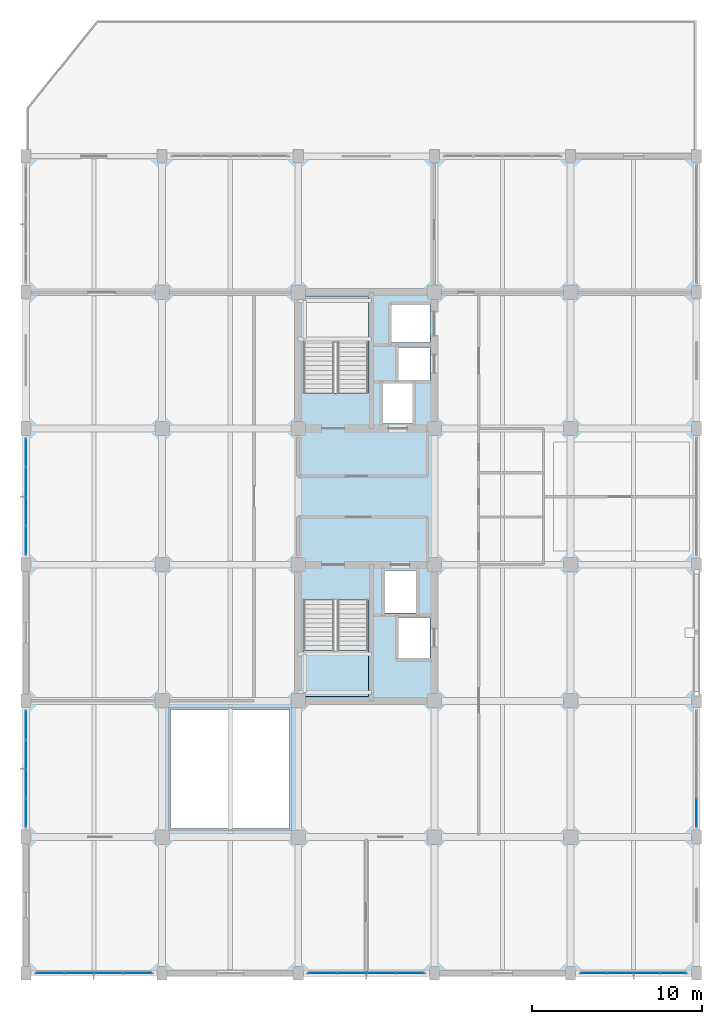
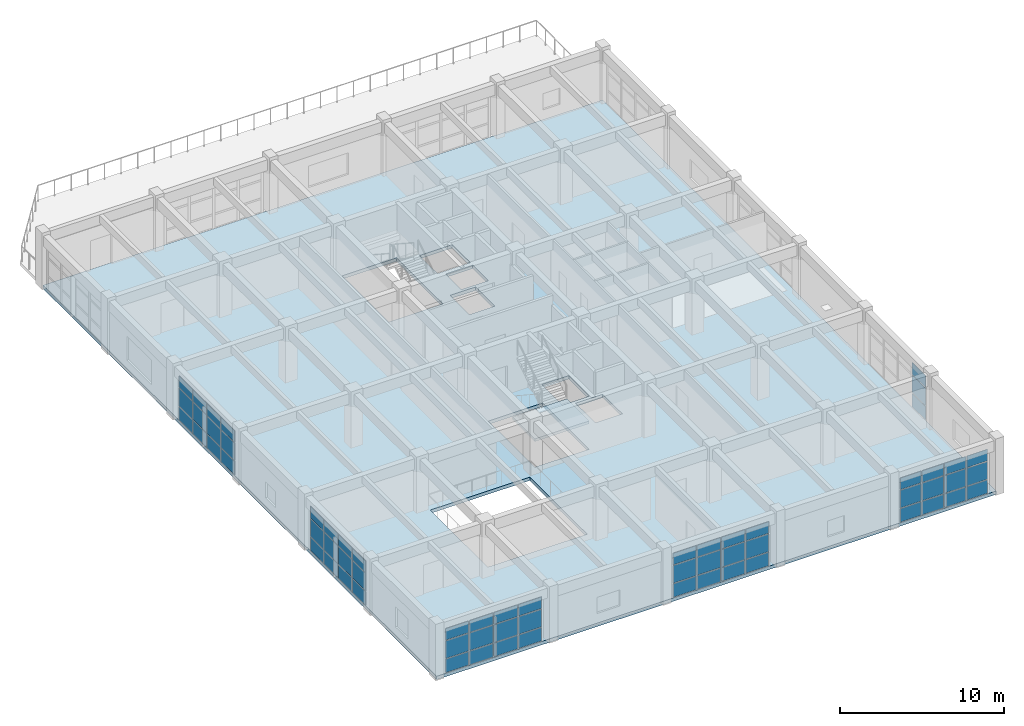
# One storey, part 22 of 30: 63 plates, 2 slabs, 7 elements without a shape of their own.
"""IFC4 building model written with IfcOpenShell, lengths in metres."""

from ifc_helpers import new_model, si_unit, direction, frame, origin, origin_2d, place, context, subcontext, project, spatial, polyline, rectangle, outline, extrude, material, layer, layer_set, type_object, element, aggregate, save


model = new_model("IFC4")

# Units and contexts
model_context = context("Model", 3, precision=1e-05, world=origin(), true_north=direction((0.0, 1.0)))
body_context = subcontext(model_context, "Body", "Model", "MODEL_VIEW")
ifc_project = project(units=[si_unit("LENGTHUNIT", "METRE"), si_unit("AREAUNIT", "SQUARE_METRE"), si_unit("VOLUMEUNIT", "CUBIC_METRE"), si_unit("PLANEANGLEUNIT", "RADIAN"), si_unit("MASSUNIT", "GRAM", prefix="KILO")], contexts=[model_context])

# Site, building, storey
site_placement = place(None, origin())
site = spatial("IfcSite", under=ifc_project, at=site_placement, CompositionType="ELEMENT")
building_placement = place(site_placement, origin())
building = spatial("IfcBuilding", under=site, at=building_placement, Name="Canggui Botanical Conservatory", CompositionType="ELEMENT")
storey_placement = place(building_placement, frame((0.0, 0.0, 19.199951171875)))
storey = spatial("IfcBuildingStorey", under=building, at=storey_placement, Name="L05", CompositionType="ELEMENT", Elevation=19.199951171875)

# Curtain wall, plates
ifc_material_1 = material(Name="Thermally Broken Aluminium", Category="aluminium")
ifc_layer_1 = layer(ifc_material_1, 0.1650390625, Name="Thermally Broken Aluminium", Category="aluminium")
ifc_layer_set_1 = layer_set([ifc_layer_1], Name="Thermally Broken Aluminium")
curtain_wall_type = type_object("IfcCurtainWallType", Name="CW-UNIT-B", PredefinedType="USERDEFINED", material=ifc_layer_set_1)
curtain_wall_1_placement = place(storey_placement, origin())
curtain_wall_1 = element("IfcCurtainWall", 1, at=curtain_wall_1_placement, inside=storey, type_object=curtain_wall_type, Name="Facade Curtain Wall CW-TWR-L05-01", ObjectType="UNITISED CURTAIN WALL", PredefinedType="USERDEFINED")
ifc_material_2 = material(Name="Low-E Insulated Glass", Category="glass")
ifc_layer_2 = layer(ifc_material_2, 0.030029296875, Name="Low-E Insulated Glass", Category="glass")
ifc_layer_set_2 = layer_set([ifc_layer_2], Name="Low-E Insulated Glass")
plate_type = type_object("IfcPlateType", Name="CWP-02", PredefinedType="CURTAIN_PANEL", material=ifc_layer_set_2)
plate_1_placement = place(storey_placement, frame((176.038818359375, 26.0, 0.06005859375), z_axis=(0.0, 0.0, 1.0), x_axis=(-1.0, 0.0, 0.0)))
plate_1 = element("IfcPlate", 2, at=plate_1_placement, type_object=plate_type, Name="CW-02 panel 1.1", PredefinedType="CURTAIN_PANEL", context=body_context, shape_type="SweptSolid", body=[
    extrude(rectangle(XDim=1.472412109375, YDim=0.030029296875, at=origin_2d()), origin(), (0.0, 0.0, 1.0), 0.998046875),
])
plate_2_placement = place(storey_placement, frame((176.038818359375, 26.0, 1.1181640625), z_axis=(0.0, 0.0, 1.0), x_axis=(-1.0, 0.0, 0.0)))
plate_2 = element("IfcPlate", 3, at=plate_2_placement, type_object=plate_type, Name="CW-02 panel 1.2", PredefinedType="CURTAIN_PANEL", context=body_context, shape_type="SweptSolid", body=[
    extrude(rectangle(XDim=1.472412109375, YDim=0.030029296875, at=origin_2d()), origin(), (0.0, 0.0, 1.0), 1.300048828125),
])
plate_3_placement = place(storey_placement, frame((176.038818359375, 26.0, 2.47802734375), z_axis=(0.0, 0.0, 1.0), x_axis=(-1.0, 0.0, 0.0)))
plate_3 = element("IfcPlate", 4, at=plate_3_placement, type_object=plate_type, Name="CW-02 panel 1.3", PredefinedType="CURTAIN_PANEL", context=body_context, shape_type="SweptSolid", body=[
    extrude(rectangle(XDim=1.472412109375, YDim=0.030029296875, at=origin_2d()), origin(), (0.0, 0.0, 1.0), 0.862060546875),
])
plate_4_placement = place(storey_placement, frame((174.485107421875, 26.0, 0.06005859375), z_axis=(0.0, 0.0, 1.0), x_axis=(-1.0, 0.0, 0.0)))
plate_4 = element("IfcPlate", 5, at=plate_4_placement, type_object=plate_type, Name="CW-02 panel 2.1", PredefinedType="CURTAIN_PANEL", context=body_context, shape_type="SweptSolid", body=[
    extrude(rectangle(XDim=1.5048828125, YDim=0.030029296875, at=origin_2d()), origin(), (0.0, 0.0, 1.0), 0.998046875),
])
plate_5_placement = place(storey_placement, frame((174.485107421875, 26.0, 1.1181640625), z_axis=(0.0, 0.0, 1.0), x_axis=(-1.0, 0.0, 0.0)))
plate_5 = element("IfcPlate", 6, at=plate_5_placement, type_object=plate_type, Name="CW-02 panel 2.2", PredefinedType="CURTAIN_PANEL", context=body_context, shape_type="SweptSolid", body=[
    extrude(rectangle(XDim=1.5048828125, YDim=0.030029296875, at=origin_2d()), origin(), (0.0, 0.0, 1.0), 1.300048828125),
])
plate_6_placement = place(storey_placement, frame((174.485107421875, 26.0, 2.47802734375), z_axis=(0.0, 0.0, 1.0), x_axis=(-1.0, 0.0, 0.0)))
plate_6 = element("IfcPlate", 7, at=plate_6_placement, type_object=plate_type, Name="CW-02 panel 2.3", PredefinedType="CURTAIN_PANEL", context=body_context, shape_type="SweptSolid", body=[
    extrude(rectangle(XDim=1.5048828125, YDim=0.030029296875, at=origin_2d()), origin(), (0.0, 0.0, 1.0), 0.862060546875),
])
plate_7_placement = place(storey_placement, frame((172.9150390625, 26.0, 0.06005859375), z_axis=(0.0, 0.0, 1.0), x_axis=(-1.0, 0.0, 0.0)))
plate_7 = element("IfcPlate", 8, at=plate_7_placement, type_object=plate_type, Name="CW-02 panel 3.1", PredefinedType="CURTAIN_PANEL", context=body_context, shape_type="SweptSolid", body=[
    extrude(rectangle(XDim=1.5048828125, YDim=0.030029296875, at=origin_2d()), origin(), (0.0, 0.0, 1.0), 0.998046875),
])
plate_8_placement = place(storey_placement, frame((172.9150390625, 26.0, 1.1181640625), z_axis=(0.0, 0.0, 1.0), x_axis=(-1.0, 0.0, 0.0)))
plate_8 = element("IfcPlate", 9, at=plate_8_placement, type_object=plate_type, Name="CW-02 panel 3.2", PredefinedType="CURTAIN_PANEL", context=body_context, shape_type="SweptSolid", body=[
    extrude(rectangle(XDim=1.5048828125, YDim=0.030029296875, at=origin_2d()), origin(), (0.0, 0.0, 1.0), 1.300048828125),
])
plate_9_placement = place(storey_placement, frame((172.9150390625, 26.0, 2.47802734375), z_axis=(0.0, 0.0, 1.0), x_axis=(-1.0, 0.0, 0.0)))
plate_9 = element("IfcPlate", 10, at=plate_9_placement, type_object=plate_type, Name="CW-02 panel 3.3", PredefinedType="CURTAIN_PANEL", context=body_context, shape_type="SweptSolid", body=[
    extrude(rectangle(XDim=1.5048828125, YDim=0.030029296875, at=origin_2d()), origin(), (0.0, 0.0, 1.0), 0.862060546875),
])
plate_10_placement = place(storey_placement, frame((171.361328125, 26.0, 0.06005859375), z_axis=(0.0, 0.0, 1.0), x_axis=(-1.0, 0.0, 0.0)))
plate_10 = element("IfcPlate", 11, at=plate_10_placement, type_object=plate_type, Name="CW-02 panel 4.1", PredefinedType="CURTAIN_PANEL", context=body_context, shape_type="SweptSolid", body=[
    extrude(rectangle(XDim=1.472412109375, YDim=0.030029296875, at=origin_2d()), origin(), (0.0, 0.0, 1.0), 0.998046875),
])
plate_11_placement = place(storey_placement, frame((171.361328125, 26.0, 1.1181640625), z_axis=(0.0, 0.0, 1.0), x_axis=(-1.0, 0.0, 0.0)))
plate_11 = element("IfcPlate", 12, at=plate_11_placement, type_object=plate_type, Name="CW-02 panel 4.2", PredefinedType="CURTAIN_PANEL", context=body_context, shape_type="SweptSolid", body=[
    extrude(rectangle(XDim=1.472412109375, YDim=0.030029296875, at=origin_2d()), origin(), (0.0, 0.0, 1.0), 1.300048828125),
])
plate_12_placement = place(storey_placement, frame((171.361328125, 26.0, 2.47802734375), z_axis=(0.0, 0.0, 1.0), x_axis=(-1.0, 0.0, 0.0)))
plate_12 = element("IfcPlate", 13, at=plate_12_placement, type_object=plate_type, Name="CW-02 panel 4.3", PredefinedType="CURTAIN_PANEL", context=body_context, shape_type="SweptSolid", body=[
    extrude(rectangle(XDim=1.472412109375, YDim=0.030029296875, at=origin_2d()), origin(), (0.0, 0.0, 1.0), 0.862060546875),
])
aggregate(curtain_wall_1, [plate_1, plate_2, plate_3, plate_4, plate_5, plate_6, plate_7, plate_8, plate_9, plate_10, plate_11, plate_12])

curtain_wall_2_placement = place(storey_placement, origin())
curtain_wall_2 = element("IfcCurtainWall", 14, at=curtain_wall_2_placement, inside=storey, type_object=curtain_wall_type, Name="Facade Curtain Wall CW-TWR-L05-03", ObjectType="UNITISED CURTAIN WALL", PredefinedType="USERDEFINED")
plate_13_placement = place(storey_placement, frame((160.563720703125, 26.0, 0.06005859375), z_axis=(0.0, 0.0, 1.0), x_axis=(-1.0, 0.0, 0.0)))
plate_13 = element("IfcPlate", 15, at=plate_13_placement, type_object=plate_type, Name="CW-02 panel 1.1", PredefinedType="CURTAIN_PANEL", context=body_context, shape_type="SweptSolid", body=[
    extrude(rectangle(XDim=1.62255859375, YDim=0.030029296875, at=origin_2d()), origin(), (0.0, 0.0, 1.0), 0.998046875),
])
plate_14_placement = place(storey_placement, frame((160.563720703125, 26.0, 1.1181640625), z_axis=(0.0, 0.0, 1.0), x_axis=(-1.0, 0.0, 0.0)))
plate_14 = element("IfcPlate", 16, at=plate_14_placement, type_object=plate_type, Name="CW-02 panel 1.2", PredefinedType="CURTAIN_PANEL", context=body_context, shape_type="SweptSolid", body=[
    extrude(rectangle(XDim=1.62255859375, YDim=0.030029296875, at=origin_2d()), origin(), (0.0, 0.0, 1.0), 1.300048828125),
])
plate_15_placement = place(storey_placement, frame((160.563720703125, 26.0, 2.47802734375), z_axis=(0.0, 0.0, 1.0), x_axis=(-1.0, 0.0, 0.0)))
plate_15 = element("IfcPlate", 17, at=plate_15_placement, type_object=plate_type, Name="CW-02 panel 1.3", PredefinedType="CURTAIN_PANEL", context=body_context, shape_type="SweptSolid", body=[
    extrude(rectangle(XDim=1.62255859375, YDim=0.030029296875, at=origin_2d()), origin(), (0.0, 0.0, 1.0), 0.862060546875),
])
plate_16_placement = place(storey_placement, frame((158.860107421875, 26.0, 0.06005859375), z_axis=(0.0, 0.0, 1.0), x_axis=(-1.0, 0.0, 0.0)))
plate_16 = element("IfcPlate", 18, at=plate_16_placement, type_object=plate_type, Name="CW-02 panel 2.1", PredefinedType="CURTAIN_PANEL", context=body_context, shape_type="SweptSolid", body=[
    extrude(rectangle(XDim=1.655029296875, YDim=0.030029296875, at=origin_2d()), origin(), (0.0, 0.0, 1.0), 0.998046875),
])
plate_17_placement = place(storey_placement, frame((158.860107421875, 26.0, 1.1181640625), z_axis=(0.0, 0.0, 1.0), x_axis=(-1.0, 0.0, 0.0)))
plate_17 = element("IfcPlate", 19, at=plate_17_placement, type_object=plate_type, Name="CW-02 panel 2.2", PredefinedType="CURTAIN_PANEL", context=body_context, shape_type="SweptSolid", body=[
    extrude(rectangle(XDim=1.655029296875, YDim=0.030029296875, at=origin_2d()), origin(), (0.0, 0.0, 1.0), 1.300048828125),
])
plate_18_placement = place(storey_placement, frame((158.860107421875, 26.0, 2.47802734375), z_axis=(0.0, 0.0, 1.0), x_axis=(-1.0, 0.0, 0.0)))
plate_18 = element("IfcPlate", 20, at=plate_18_placement, type_object=plate_type, Name="CW-02 panel 2.3", PredefinedType="CURTAIN_PANEL", context=body_context, shape_type="SweptSolid", body=[
    extrude(rectangle(XDim=1.655029296875, YDim=0.030029296875, at=origin_2d()), origin(), (0.0, 0.0, 1.0), 0.862060546875),
])
plate_19_placement = place(storey_placement, frame((157.139892578125, 26.0, 0.06005859375), z_axis=(0.0, 0.0, 1.0), x_axis=(-1.0, 0.0, 0.0)))
plate_19 = element("IfcPlate", 21, at=plate_19_placement, type_object=plate_type, Name="CW-02 panel 3.1", PredefinedType="CURTAIN_PANEL", context=body_context, shape_type="SweptSolid", body=[
    extrude(rectangle(XDim=1.655029296875, YDim=0.030029296875, at=origin_2d()), origin(), (0.0, 0.0, 1.0), 0.998046875),
])
plate_20_placement = place(storey_placement, frame((157.139892578125, 26.0, 1.1181640625), z_axis=(0.0, 0.0, 1.0), x_axis=(-1.0, 0.0, 0.0)))
plate_20 = element("IfcPlate", 22, at=plate_20_placement, type_object=plate_type, Name="CW-02 panel 3.2", PredefinedType="CURTAIN_PANEL", context=body_context, shape_type="SweptSolid", body=[
    extrude(rectangle(XDim=1.655029296875, YDim=0.030029296875, at=origin_2d()), origin(), (0.0, 0.0, 1.0), 1.300048828125),
])
plate_21_placement = place(storey_placement, frame((157.139892578125, 26.0, 2.47802734375), z_axis=(0.0, 0.0, 1.0), x_axis=(-1.0, 0.0, 0.0)))
plate_21 = element("IfcPlate", 23, at=plate_21_placement, type_object=plate_type, Name="CW-02 panel 3.3", PredefinedType="CURTAIN_PANEL", context=body_context, shape_type="SweptSolid", body=[
    extrude(rectangle(XDim=1.655029296875, YDim=0.030029296875, at=origin_2d()), origin(), (0.0, 0.0, 1.0), 0.862060546875),
])
plate_22_placement = place(storey_placement, frame((155.436279296875, 26.0, 0.06005859375), z_axis=(0.0, 0.0, 1.0), x_axis=(-1.0, 0.0, 0.0)))
plate_22 = element("IfcPlate", 24, at=plate_22_placement, type_object=plate_type, Name="CW-02 panel 4.1", PredefinedType="CURTAIN_PANEL", context=body_context, shape_type="SweptSolid", body=[
    extrude(rectangle(XDim=1.62255859375, YDim=0.030029296875, at=origin_2d()), origin(), (0.0, 0.0, 1.0), 0.998046875),
])
plate_23_placement = place(storey_placement, frame((155.436279296875, 26.0, 1.1181640625), z_axis=(0.0, 0.0, 1.0), x_axis=(-1.0, 0.0, 0.0)))
plate_23 = element("IfcPlate", 25, at=plate_23_placement, type_object=plate_type, Name="CW-02 panel 4.2", PredefinedType="CURTAIN_PANEL", context=body_context, shape_type="SweptSolid", body=[
    extrude(rectangle(XDim=1.62255859375, YDim=0.030029296875, at=origin_2d()), origin(), (0.0, 0.0, 1.0), 1.300048828125),
])
plate_24_placement = place(storey_placement, frame((155.436279296875, 26.0, 2.47802734375), z_axis=(0.0, 0.0, 1.0), x_axis=(-1.0, 0.0, 0.0)))
plate_24 = element("IfcPlate", 26, at=plate_24_placement, type_object=plate_type, Name="CW-02 panel 4.3", PredefinedType="CURTAIN_PANEL", context=body_context, shape_type="SweptSolid", body=[
    extrude(rectangle(XDim=1.62255859375, YDim=0.030029296875, at=origin_2d()), origin(), (0.0, 0.0, 1.0), 0.862060546875),
])
aggregate(curtain_wall_2, [plate_13, plate_14, plate_15, plate_16, plate_17, plate_18, plate_19, plate_20, plate_21, plate_22, plate_23, plate_24])

curtain_wall_3_placement = place(storey_placement, origin())
curtain_wall_3 = element("IfcCurtainWall", 27, at=curtain_wall_3_placement, inside=storey, type_object=curtain_wall_type, Name="Facade Curtain Wall CW-TWR-L05-05", ObjectType="UNITISED CURTAIN WALL", PredefinedType="USERDEFINED")
plate_25_placement = place(storey_placement, frame((144.563720703125, 26.0, 0.06005859375), z_axis=(0.0, 0.0, 1.0), x_axis=(-1.0, 0.0, 0.0)))
plate_25 = element("IfcPlate", 28, at=plate_25_placement, type_object=plate_type, Name="CW-02 panel 1.1", PredefinedType="CURTAIN_PANEL", context=body_context, shape_type="SweptSolid", body=[
    extrude(rectangle(XDim=1.62255859375, YDim=0.030029296875, at=origin_2d()), origin(), (0.0, 0.0, 1.0), 0.998046875),
])
plate_26_placement = place(storey_placement, frame((144.563720703125, 26.0, 1.1181640625), z_axis=(0.0, 0.0, 1.0), x_axis=(-1.0, 0.0, 0.0)))
plate_26 = element("IfcPlate", 29, at=plate_26_placement, type_object=plate_type, Name="CW-02 panel 1.2", PredefinedType="CURTAIN_PANEL", context=body_context, shape_type="SweptSolid", body=[
    extrude(rectangle(XDim=1.62255859375, YDim=0.030029296875, at=origin_2d()), origin(), (0.0, 0.0, 1.0), 1.300048828125),
])
plate_27_placement = place(storey_placement, frame((144.563720703125, 26.0, 2.47802734375), z_axis=(0.0, 0.0, 1.0), x_axis=(-1.0, 0.0, 0.0)))
plate_27 = element("IfcPlate", 30, at=plate_27_placement, type_object=plate_type, Name="CW-02 panel 1.3", PredefinedType="CURTAIN_PANEL", context=body_context, shape_type="SweptSolid", body=[
    extrude(rectangle(XDim=1.62255859375, YDim=0.030029296875, at=origin_2d()), origin(), (0.0, 0.0, 1.0), 0.862060546875),
])
plate_28_placement = place(storey_placement, frame((142.860107421875, 26.0, 0.06005859375), z_axis=(0.0, 0.0, 1.0), x_axis=(-1.0, 0.0, 0.0)))
plate_28 = element("IfcPlate", 31, at=plate_28_placement, type_object=plate_type, Name="CW-02 panel 2.1", PredefinedType="CURTAIN_PANEL", context=body_context, shape_type="SweptSolid", body=[
    extrude(rectangle(XDim=1.655029296875, YDim=0.030029296875, at=origin_2d()), origin(), (0.0, 0.0, 1.0), 0.998046875),
])
plate_29_placement = place(storey_placement, frame((142.860107421875, 26.0, 1.1181640625), z_axis=(0.0, 0.0, 1.0), x_axis=(-1.0, 0.0, 0.0)))
plate_29 = element("IfcPlate", 32, at=plate_29_placement, type_object=plate_type, Name="CW-02 panel 2.2", PredefinedType="CURTAIN_PANEL", context=body_context, shape_type="SweptSolid", body=[
    extrude(rectangle(XDim=1.655029296875, YDim=0.030029296875, at=origin_2d()), origin(), (0.0, 0.0, 1.0), 1.300048828125),
])
plate_30_placement = place(storey_placement, frame((142.860107421875, 26.0, 2.47802734375), z_axis=(0.0, 0.0, 1.0), x_axis=(-1.0, 0.0, 0.0)))
plate_30 = element("IfcPlate", 33, at=plate_30_placement, type_object=plate_type, Name="CW-02 panel 2.3", PredefinedType="CURTAIN_PANEL", context=body_context, shape_type="SweptSolid", body=[
    extrude(rectangle(XDim=1.655029296875, YDim=0.030029296875, at=origin_2d()), origin(), (0.0, 0.0, 1.0), 0.862060546875),
])
plate_31_placement = place(storey_placement, frame((141.139892578125, 26.0, 0.06005859375), z_axis=(0.0, 0.0, 1.0), x_axis=(-1.0, 0.0, 0.0)))
plate_31 = element("IfcPlate", 34, at=plate_31_placement, type_object=plate_type, Name="CW-02 panel 3.1", PredefinedType="CURTAIN_PANEL", context=body_context, shape_type="SweptSolid", body=[
    extrude(rectangle(XDim=1.655029296875, YDim=0.030029296875, at=origin_2d()), origin(), (0.0, 0.0, 1.0), 0.998046875),
])
plate_32_placement = place(storey_placement, frame((141.139892578125, 26.0, 1.1181640625), z_axis=(0.0, 0.0, 1.0), x_axis=(-1.0, 0.0, 0.0)))
plate_32 = element("IfcPlate", 35, at=plate_32_placement, type_object=plate_type, Name="CW-02 panel 3.2", PredefinedType="CURTAIN_PANEL", context=body_context, shape_type="SweptSolid", body=[
    extrude(rectangle(XDim=1.655029296875, YDim=0.030029296875, at=origin_2d()), origin(), (0.0, 0.0, 1.0), 1.300048828125),
])
plate_33_placement = place(storey_placement, frame((141.139892578125, 26.0, 2.47802734375), z_axis=(0.0, 0.0, 1.0), x_axis=(-1.0, 0.0, 0.0)))
plate_33 = element("IfcPlate", 36, at=plate_33_placement, type_object=plate_type, Name="CW-02 panel 3.3", PredefinedType="CURTAIN_PANEL", context=body_context, shape_type="SweptSolid", body=[
    extrude(rectangle(XDim=1.655029296875, YDim=0.030029296875, at=origin_2d()), origin(), (0.0, 0.0, 1.0), 0.862060546875),
])
plate_34_placement = place(storey_placement, frame((139.436279296875, 26.0, 0.06005859375), z_axis=(0.0, 0.0, 1.0), x_axis=(-1.0, 0.0, 0.0)))
plate_34 = element("IfcPlate", 37, at=plate_34_placement, type_object=plate_type, Name="CW-02 panel 4.1", PredefinedType="CURTAIN_PANEL", context=body_context, shape_type="SweptSolid", body=[
    extrude(rectangle(XDim=1.62255859375, YDim=0.030029296875, at=origin_2d()), origin(), (0.0, 0.0, 1.0), 0.998046875),
])
plate_35_placement = place(storey_placement, frame((139.436279296875, 26.0, 1.1181640625), z_axis=(0.0, 0.0, 1.0), x_axis=(-1.0, 0.0, 0.0)))
plate_35 = element("IfcPlate", 38, at=plate_35_placement, type_object=plate_type, Name="CW-02 panel 4.2", PredefinedType="CURTAIN_PANEL", context=body_context, shape_type="SweptSolid", body=[
    extrude(rectangle(XDim=1.62255859375, YDim=0.030029296875, at=origin_2d()), origin(), (0.0, 0.0, 1.0), 1.300048828125),
])
plate_36_placement = place(storey_placement, frame((139.436279296875, 26.0, 2.47802734375), z_axis=(0.0, 0.0, 1.0), x_axis=(-1.0, 0.0, 0.0)))
plate_36 = element("IfcPlate", 39, at=plate_36_placement, type_object=plate_type, Name="CW-02 panel 4.3", PredefinedType="CURTAIN_PANEL", context=body_context, shape_type="SweptSolid", body=[
    extrude(rectangle(XDim=1.62255859375, YDim=0.030029296875, at=origin_2d()), origin(), (0.0, 0.0, 1.0), 0.862060546875),
])
aggregate(curtain_wall_3, [plate_25, plate_26, plate_27, plate_28, plate_29, plate_30, plate_31, plate_32, plate_33, plate_34, plate_35, plate_36])

curtain_wall_4_placement = place(storey_placement, origin())
curtain_wall_4 = element("IfcCurtainWall", 40, at=curtain_wall_4_placement, inside=storey, type_object=curtain_wall_type, Name="Facade Curtain Wall CW-TWR-L05-07", ObjectType="UNITISED CURTAIN WALL", PredefinedType="USERDEFINED")
plate_37_placement = place(storey_placement, frame((138.0, 35.436279296875, 0.06005859375), z_axis=(0.0, 0.0, 1.0), x_axis=(0.0, 1.0, 0.0)))
plate_37 = element("IfcPlate", 41, at=plate_37_placement, type_object=plate_type, Name="CW-02 panel 1.1", PredefinedType="CURTAIN_PANEL", context=body_context, shape_type="SweptSolid", body=[
    extrude(rectangle(XDim=1.62255859375, YDim=0.030029296875, at=origin_2d()), origin(), (0.0, 0.0, 1.0), 0.998046875),
])
plate_38_placement = place(storey_placement, frame((138.0, 35.436279296875, 1.1181640625), z_axis=(0.0, 0.0, 1.0), x_axis=(0.0, 1.0, 0.0)))
plate_38 = element("IfcPlate", 42, at=plate_38_placement, type_object=plate_type, Name="CW-02 panel 1.2", PredefinedType="CURTAIN_PANEL", context=body_context, shape_type="SweptSolid", body=[
    extrude(rectangle(XDim=1.62255859375, YDim=0.030029296875, at=origin_2d()), origin(), (0.0, 0.0, 1.0), 1.300048828125),
])
plate_39_placement = place(storey_placement, frame((138.0, 35.436279296875, 2.47802734375), z_axis=(0.0, 0.0, 1.0), x_axis=(0.0, 1.0, 0.0)))
plate_39 = element("IfcPlate", 43, at=plate_39_placement, type_object=plate_type, Name="CW-02 panel 1.3", PredefinedType="CURTAIN_PANEL", context=body_context, shape_type="SweptSolid", body=[
    extrude(rectangle(XDim=1.62255859375, YDim=0.030029296875, at=origin_2d()), origin(), (0.0, 0.0, 1.0), 0.862060546875),
])
plate_40_placement = place(storey_placement, frame((138.0, 37.139892578125, 0.06005859375), z_axis=(0.0, 0.0, 1.0), x_axis=(0.0, 1.0, 0.0)))
plate_40 = element("IfcPlate", 44, at=plate_40_placement, type_object=plate_type, Name="CW-02 panel 2.1", PredefinedType="CURTAIN_PANEL", context=body_context, shape_type="SweptSolid", body=[
    extrude(rectangle(XDim=1.655029296875, YDim=0.030029296875, at=origin_2d()), origin(), (0.0, 0.0, 1.0), 0.998046875),
])
plate_41_placement = place(storey_placement, frame((138.0, 37.139892578125, 1.1181640625), z_axis=(0.0, 0.0, 1.0), x_axis=(0.0, 1.0, 0.0)))
plate_41 = element("IfcPlate", 45, at=plate_41_placement, type_object=plate_type, Name="CW-02 panel 2.2", PredefinedType="CURTAIN_PANEL", context=body_context, shape_type="SweptSolid", body=[
    extrude(rectangle(XDim=1.655029296875, YDim=0.030029296875, at=origin_2d()), origin(), (0.0, 0.0, 1.0), 1.300048828125),
])
plate_42_placement = place(storey_placement, frame((138.0, 37.139892578125, 2.47802734375), z_axis=(0.0, 0.0, 1.0), x_axis=(0.0, 1.0, 0.0)))
plate_42 = element("IfcPlate", 46, at=plate_42_placement, type_object=plate_type, Name="CW-02 panel 2.3", PredefinedType="CURTAIN_PANEL", context=body_context, shape_type="SweptSolid", body=[
    extrude(rectangle(XDim=1.655029296875, YDim=0.030029296875, at=origin_2d()), origin(), (0.0, 0.0, 1.0), 0.862060546875),
])
plate_43_placement = place(storey_placement, frame((138.0, 38.860107421875, 0.06005859375), z_axis=(0.0, 0.0, 1.0), x_axis=(0.0, 1.0, 0.0)))
plate_43 = element("IfcPlate", 47, at=plate_43_placement, type_object=plate_type, Name="CW-02 panel 3.1", PredefinedType="CURTAIN_PANEL", context=body_context, shape_type="SweptSolid", body=[
    extrude(rectangle(XDim=1.655029296875, YDim=0.030029296875, at=origin_2d()), origin(), (0.0, 0.0, 1.0), 0.998046875),
])
plate_44_placement = place(storey_placement, frame((138.0, 38.860107421875, 1.1181640625), z_axis=(0.0, 0.0, 1.0), x_axis=(0.0, 1.0, 0.0)))
plate_44 = element("IfcPlate", 48, at=plate_44_placement, type_object=plate_type, Name="CW-02 panel 3.2", PredefinedType="CURTAIN_PANEL", context=body_context, shape_type="SweptSolid", body=[
    extrude(rectangle(XDim=1.655029296875, YDim=0.030029296875, at=origin_2d()), origin(), (0.0, 0.0, 1.0), 1.300048828125),
])
plate_45_placement = place(storey_placement, frame((138.0, 38.860107421875, 2.47802734375), z_axis=(0.0, 0.0, 1.0), x_axis=(0.0, 1.0, 0.0)))
plate_45 = element("IfcPlate", 49, at=plate_45_placement, type_object=plate_type, Name="CW-02 panel 3.3", PredefinedType="CURTAIN_PANEL", context=body_context, shape_type="SweptSolid", body=[
    extrude(rectangle(XDim=1.655029296875, YDim=0.030029296875, at=origin_2d()), origin(), (0.0, 0.0, 1.0), 0.862060546875),
])
plate_46_placement = place(storey_placement, frame((138.0, 40.563720703125, 0.06005859375), z_axis=(0.0, 0.0, 1.0), x_axis=(0.0, 1.0, 0.0)))
plate_46 = element("IfcPlate", 50, at=plate_46_placement, type_object=plate_type, Name="CW-02 panel 4.1", PredefinedType="CURTAIN_PANEL", context=body_context, shape_type="SweptSolid", body=[
    extrude(rectangle(XDim=1.62255859375, YDim=0.030029296875, at=origin_2d()), origin(), (0.0, 0.0, 1.0), 0.998046875),
])
plate_47_placement = place(storey_placement, frame((138.0, 40.563720703125, 1.1181640625), z_axis=(0.0, 0.0, 1.0), x_axis=(0.0, 1.0, 0.0)))
plate_47 = element("IfcPlate", 51, at=plate_47_placement, type_object=plate_type, Name="CW-02 panel 4.2", PredefinedType="CURTAIN_PANEL", context=body_context, shape_type="SweptSolid", body=[
    extrude(rectangle(XDim=1.62255859375, YDim=0.030029296875, at=origin_2d()), origin(), (0.0, 0.0, 1.0), 1.300048828125),
])
plate_48_placement = place(storey_placement, frame((138.0, 40.563720703125, 2.47802734375), z_axis=(0.0, 0.0, 1.0), x_axis=(0.0, 1.0, 0.0)))
plate_48 = element("IfcPlate", 52, at=plate_48_placement, type_object=plate_type, Name="CW-02 panel 4.3", PredefinedType="CURTAIN_PANEL", context=body_context, shape_type="SweptSolid", body=[
    extrude(rectangle(XDim=1.62255859375, YDim=0.030029296875, at=origin_2d()), origin(), (0.0, 0.0, 1.0), 0.862060546875),
])
aggregate(curtain_wall_4, [plate_37, plate_38, plate_39, plate_40, plate_41, plate_42, plate_43, plate_44, plate_45, plate_46, plate_47, plate_48])

curtain_wall_5_placement = place(storey_placement, origin())
curtain_wall_5 = element("IfcCurtainWall", 53, at=curtain_wall_5_placement, inside=storey, type_object=curtain_wall_type, Name="Facade Curtain Wall CW-TWR-L05-09", ObjectType="UNITISED CURTAIN WALL", PredefinedType="USERDEFINED")
plate_49_placement = place(storey_placement, frame((138.0, 51.436279296875, 0.06005859375), z_axis=(0.0, 0.0, 1.0), x_axis=(0.0, 1.0, 0.0)))
plate_49 = element("IfcPlate", 54, at=plate_49_placement, type_object=plate_type, Name="CW-02 panel 1.1", PredefinedType="CURTAIN_PANEL", context=body_context, shape_type="SweptSolid", body=[
    extrude(rectangle(XDim=1.62255859375, YDim=0.030029296875, at=origin_2d()), origin(), (0.0, 0.0, 1.0), 0.998046875),
])
plate_50_placement = place(storey_placement, frame((138.0, 51.436279296875, 1.1181640625), z_axis=(0.0, 0.0, 1.0), x_axis=(0.0, 1.0, 0.0)))
plate_50 = element("IfcPlate", 55, at=plate_50_placement, type_object=plate_type, Name="CW-02 panel 1.2", PredefinedType="CURTAIN_PANEL", context=body_context, shape_type="SweptSolid", body=[
    extrude(rectangle(XDim=1.62255859375, YDim=0.030029296875, at=origin_2d()), origin(), (0.0, 0.0, 1.0), 1.300048828125),
])
plate_51_placement = place(storey_placement, frame((138.0, 51.436279296875, 2.47802734375), z_axis=(0.0, 0.0, 1.0), x_axis=(0.0, 1.0, 0.0)))
plate_51 = element("IfcPlate", 56, at=plate_51_placement, type_object=plate_type, Name="CW-02 panel 1.3", PredefinedType="CURTAIN_PANEL", context=body_context, shape_type="SweptSolid", body=[
    extrude(rectangle(XDim=1.62255859375, YDim=0.030029296875, at=origin_2d()), origin(), (0.0, 0.0, 1.0), 0.862060546875),
])
plate_52_placement = place(storey_placement, frame((138.0, 53.139892578125, 0.06005859375), z_axis=(0.0, 0.0, 1.0), x_axis=(0.0, 1.0, 0.0)))
plate_52 = element("IfcPlate", 57, at=plate_52_placement, type_object=plate_type, Name="CW-02 panel 2.1", PredefinedType="CURTAIN_PANEL", context=body_context, shape_type="SweptSolid", body=[
    extrude(rectangle(XDim=1.655029296875, YDim=0.030029296875, at=origin_2d()), origin(), (0.0, 0.0, 1.0), 0.998046875),
])
plate_53_placement = place(storey_placement, frame((138.0, 53.139892578125, 1.1181640625), z_axis=(0.0, 0.0, 1.0), x_axis=(0.0, 1.0, 0.0)))
plate_53 = element("IfcPlate", 58, at=plate_53_placement, type_object=plate_type, Name="CW-02 panel 2.2", PredefinedType="CURTAIN_PANEL", context=body_context, shape_type="SweptSolid", body=[
    extrude(rectangle(XDim=1.655029296875, YDim=0.030029296875, at=origin_2d()), origin(), (0.0, 0.0, 1.0), 1.300048828125),
])
plate_54_placement = place(storey_placement, frame((138.0, 53.139892578125, 2.47802734375), z_axis=(0.0, 0.0, 1.0), x_axis=(0.0, 1.0, 0.0)))
plate_54 = element("IfcPlate", 59, at=plate_54_placement, type_object=plate_type, Name="CW-02 panel 2.3", PredefinedType="CURTAIN_PANEL", context=body_context, shape_type="SweptSolid", body=[
    extrude(rectangle(XDim=1.655029296875, YDim=0.030029296875, at=origin_2d()), origin(), (0.0, 0.0, 1.0), 0.862060546875),
])
plate_55_placement = place(storey_placement, frame((138.0, 54.860107421875, 0.06005859375), z_axis=(0.0, 0.0, 1.0), x_axis=(0.0, 1.0, 0.0)))
plate_55 = element("IfcPlate", 60, at=plate_55_placement, type_object=plate_type, Name="CW-02 panel 3.1", PredefinedType="CURTAIN_PANEL", context=body_context, shape_type="SweptSolid", body=[
    extrude(rectangle(XDim=1.655029296875, YDim=0.030029296875, at=origin_2d()), origin(), (0.0, 0.0, 1.0), 0.998046875),
])
plate_56_placement = place(storey_placement, frame((138.0, 54.860107421875, 1.1181640625), z_axis=(0.0, 0.0, 1.0), x_axis=(0.0, 1.0, 0.0)))
plate_56 = element("IfcPlate", 61, at=plate_56_placement, type_object=plate_type, Name="CW-02 panel 3.2", PredefinedType="CURTAIN_PANEL", context=body_context, shape_type="SweptSolid", body=[
    extrude(rectangle(XDim=1.655029296875, YDim=0.030029296875, at=origin_2d()), origin(), (0.0, 0.0, 1.0), 1.300048828125),
])
plate_57_placement = place(storey_placement, frame((138.0, 54.860107421875, 2.47802734375), z_axis=(0.0, 0.0, 1.0), x_axis=(0.0, 1.0, 0.0)))
plate_57 = element("IfcPlate", 62, at=plate_57_placement, type_object=plate_type, Name="CW-02 panel 3.3", PredefinedType="CURTAIN_PANEL", context=body_context, shape_type="SweptSolid", body=[
    extrude(rectangle(XDim=1.655029296875, YDim=0.030029296875, at=origin_2d()), origin(), (0.0, 0.0, 1.0), 0.862060546875),
])
plate_58_placement = place(storey_placement, frame((138.0, 56.563720703125, 0.06005859375), z_axis=(0.0, 0.0, 1.0), x_axis=(0.0, 1.0, 0.0)))
plate_58 = element("IfcPlate", 63, at=plate_58_placement, type_object=plate_type, Name="CW-02 panel 4.1", PredefinedType="CURTAIN_PANEL", context=body_context, shape_type="SweptSolid", body=[
    extrude(rectangle(XDim=1.62255859375, YDim=0.030029296875, at=origin_2d()), origin(), (0.0, 0.0, 1.0), 0.998046875),
])
plate_59_placement = place(storey_placement, frame((138.0, 56.563720703125, 1.1181640625), z_axis=(0.0, 0.0, 1.0), x_axis=(0.0, 1.0, 0.0)))
plate_59 = element("IfcPlate", 64, at=plate_59_placement, type_object=plate_type, Name="CW-02 panel 4.2", PredefinedType="CURTAIN_PANEL", context=body_context, shape_type="SweptSolid", body=[
    extrude(rectangle(XDim=1.62255859375, YDim=0.030029296875, at=origin_2d()), origin(), (0.0, 0.0, 1.0), 1.300048828125),
])
plate_60_placement = place(storey_placement, frame((138.0, 56.563720703125, 2.47802734375), z_axis=(0.0, 0.0, 1.0), x_axis=(0.0, 1.0, 0.0)))
plate_60 = element("IfcPlate", 65, at=plate_60_placement, type_object=plate_type, Name="CW-02 panel 4.3", PredefinedType="CURTAIN_PANEL", context=body_context, shape_type="SweptSolid", body=[
    extrude(rectangle(XDim=1.62255859375, YDim=0.030029296875, at=origin_2d()), origin(), (0.0, 0.0, 1.0), 0.862060546875),
])
aggregate(curtain_wall_5, [plate_49, plate_50, plate_51, plate_52, plate_53, plate_54, plate_55, plate_56, plate_57, plate_58, plate_59, plate_60])

curtain_wall_6_placement = place(storey_placement, origin())
curtain_wall_6 = element("IfcCurtainWall", 66, at=curtain_wall_6_placement, inside=storey, type_object=curtain_wall_type, Name="Facade Curtain Wall CW-TWR-L05-21", ObjectType="UNITISED CURTAIN WALL", PredefinedType="USERDEFINED")
plate_61_placement = place(storey_placement, frame((177.39990234375, 35.436279296875, 0.06005859375), z_axis=(0.0, 0.0, 1.0), x_axis=(0.0, -1.0, 0.0)))
plate_61 = element("IfcPlate", 67, at=plate_61_placement, type_object=plate_type, Name="CW-02 panel 4.1", PredefinedType="CURTAIN_PANEL", context=body_context, shape_type="SweptSolid", body=[
    extrude(rectangle(XDim=1.62255859375, YDim=0.030029296875, at=origin_2d()), origin(), (0.0, 0.0, 1.0), 0.998046875),
])
plate_62_placement = place(storey_placement, frame((177.39990234375, 35.436279296875, 1.1181640625), z_axis=(0.0, 0.0, 1.0), x_axis=(0.0, -1.0, 0.0)))
plate_62 = element("IfcPlate", 68, at=plate_62_placement, type_object=plate_type, Name="CW-02 panel 4.2", PredefinedType="CURTAIN_PANEL", context=body_context, shape_type="SweptSolid", body=[
    extrude(rectangle(XDim=1.62255859375, YDim=0.030029296875, at=origin_2d()), origin(), (0.0, 0.0, 1.0), 1.300048828125),
])
plate_63_placement = place(storey_placement, frame((177.39990234375, 35.436279296875, 2.47802734375), z_axis=(0.0, 0.0, 1.0), x_axis=(0.0, -1.0, 0.0)))
plate_63 = element("IfcPlate", 69, at=plate_63_placement, type_object=plate_type, Name="CW-02 panel 4.3", PredefinedType="CURTAIN_PANEL", context=body_context, shape_type="SweptSolid", body=[
    extrude(rectangle(XDim=1.62255859375, YDim=0.030029296875, at=origin_2d()), origin(), (0.0, 0.0, 1.0), 0.862060546875),
])
aggregate(curtain_wall_6, [plate_61, plate_62, plate_63])

# Slab
ifc_material_3 = material(Name="Concrete C35", Category="concrete")
ifc_layer_3 = layer(ifc_material_3, 0.25, Name="Concrete C35", Category="concrete")
ifc_layer_set_3 = layer_set([ifc_layer_3], Name="Concrete C35")
slab_type_1 = type_object("IfcSlabType", Name="SLAB-F250", PredefinedType="FLOOR", material=ifc_layer_set_3)
slab_1_placement = place(storey_placement, frame((0.0, 0.0, -0.25)))
element("IfcSlab", 70, at=slab_1_placement, inside=storey, type_object=slab_type_1, Name="Research Tower L05 Floor Slab", PredefinedType="FLOOR", context=body_context, shape_type="SweptSolid", body=[
    extrude(outline(polyline([(138.0, 26.0), (177.39990234375, 26.0), (177.39990234375, 74.0), (138.0, 74.0), (138.0, 26.0)]), holes=[polyline([(154.300048828125, 47.91943359375), (154.300048828125, 42.260009765625), (158.1201171875, 42.260009765625), (158.1201171875, 47.91943359375), (154.300048828125, 47.91943359375)]), polyline([(158.1201171875, 60.08056640625), (158.1201171875, 65.739990234375), (154.300048828125, 65.739990234375), (154.300048828125, 60.08056640625), (158.1201171875, 60.08056640625)]), polyline([(159.050048828125, 47.14990234375), (160.949951171875, 47.14990234375), (160.949951171875, 49.64990234375), (159.050048828125, 49.64990234375), (159.050048828125, 47.14990234375)]), polyline([(159.85009765625, 44.5), (161.75, 44.5), (161.75, 46.89990234375), (159.85009765625, 46.89990234375), (159.85009765625, 44.5)]), polyline([(158.949951171875, 58.300048828125), (160.75, 58.300048828125), (160.75, 60.64990234375), (158.949951171875, 60.64990234375), (158.949951171875, 58.300048828125)]), polyline([(159.85009765625, 60.85009765625), (161.75, 60.85009765625), (161.75, 62.75), (159.85009765625, 62.75), (159.85009765625, 60.85009765625)]), polyline([(159.449951171875, 63.050048828125), (161.75, 63.050048828125), (161.75, 65.25), (159.449951171875, 65.25), (159.449951171875, 63.050048828125)]), polyline([(146.5, 34.5), (153.5, 34.5), (153.5, 41.5), (146.5, 41.5), (146.5, 34.5)])]), origin(), (0.0, 0.0, 1.0), 0.25),
])

# Stair, slab
stair_type = type_object("IfcStairType", Name="STR-TYPE-6", PredefinedType="HALF_TURN_STAIR", material=ifc_material_3)
stair_placement = place(storey_placement, origin())
stair = element("IfcStair", 71, at=stair_placement, inside=storey, type_object=stair_type, Name="L05 Tower South Smoke-Proof Stair ST-T1", PredefinedType="HALF_TURN_STAIR")
ifc_layer_4 = layer(ifc_material_3, 0.199951171875, Name="Concrete C35", Category="concrete")
ifc_layer_set_4 = layer_set([ifc_layer_4], Name="Concrete C35")
slab_type_2 = type_object("IfcSlabType", Name="SLAB-LND-200", PredefinedType="LANDING", material=ifc_layer_set_4)
slab_2_placement = place(storey_placement, frame((0.0, 0.0, 1.900146484375)))
slab_2 = element("IfcSlab", 72, at=slab_2_placement, type_object=slab_type_2, Name="ST-T1 landing 1", PredefinedType="LANDING", context=body_context, shape_type="SweptSolid", body=[
    extrude(outline(polyline([(154.300048828125, 44.972412109375), (154.300048828125, 42.260009765625), (158.1201171875, 42.260009765625), (158.1201171875, 44.972412109375), (154.300048828125, 44.972412109375)])), origin(), (0.0, 0.0, 1.0), 0.199951171875),
])
aggregate(stair, [slab_2])

save(model, "model.ifc")
